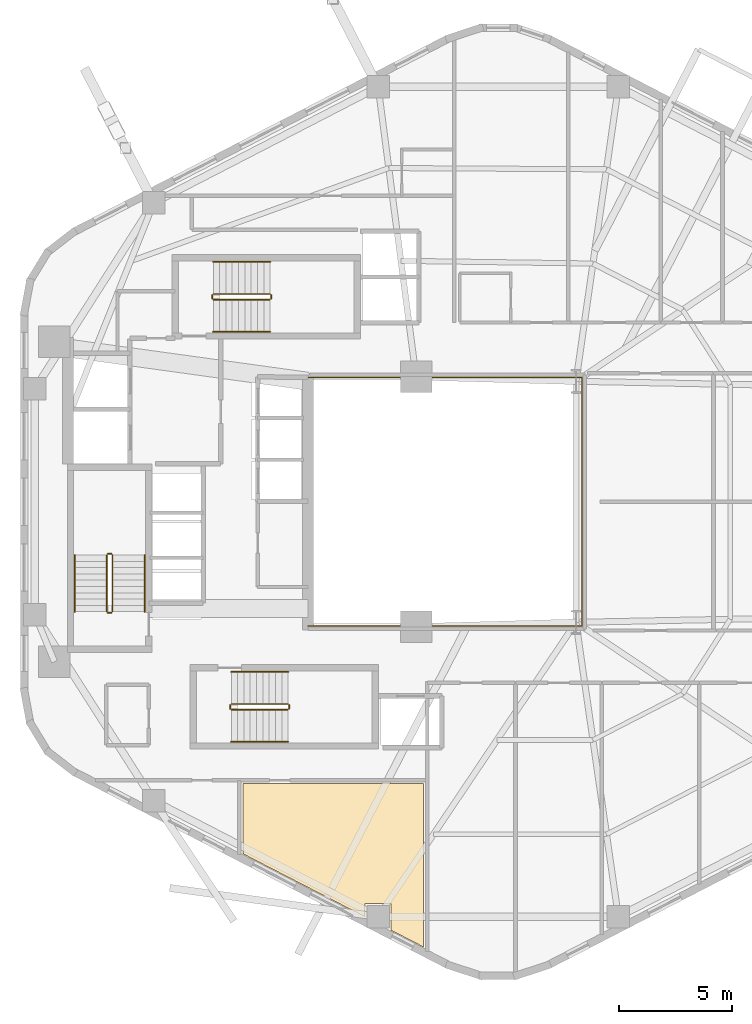
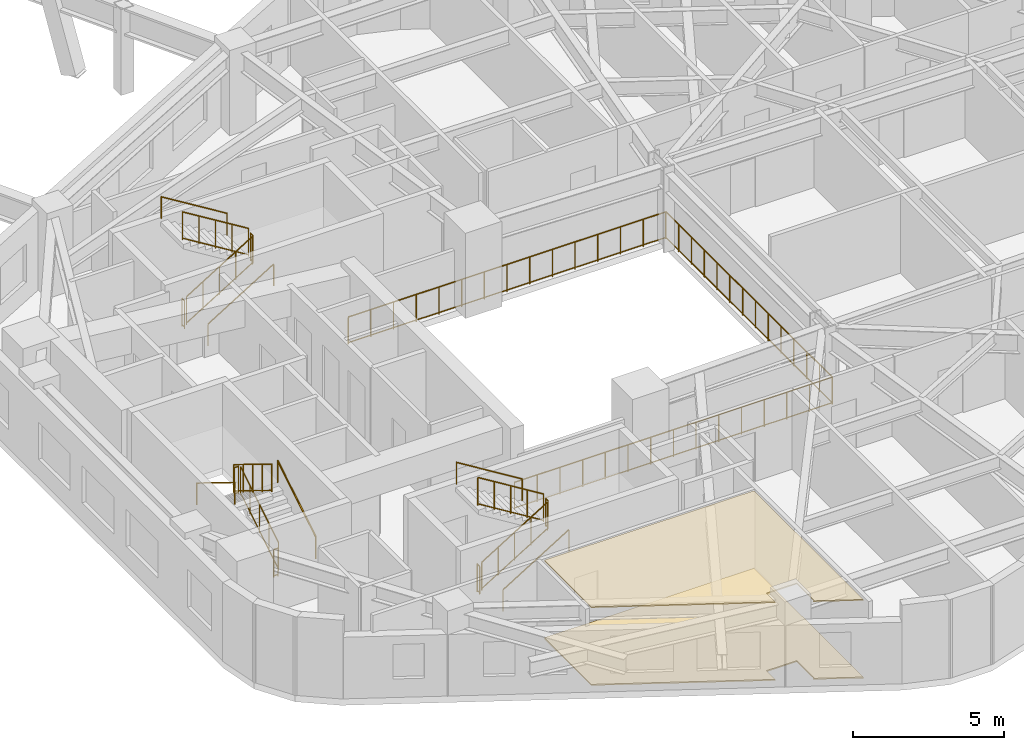
# One storey, part 8 of 8: 19 railings, 2 coverings.
"""IFC4 building model written with IfcOpenShell, lengths in metres."""

from ifc_helpers import new_model, si_unit, direction, frame, origin, origin_2d, place, context, subcontext, project, spatial, polyline, circle, outline, extrude, material, layer, layer_set, type_object, element, save


model = new_model("IFC4")

# Units and contexts
model_context = context("Model", 3, precision=1e-05, world=origin(), true_north=direction((0.0, 1.0)))
body_context = subcontext(model_context, "Body", "Model", "MODEL_VIEW")
ifc_project = project(units=[si_unit("LENGTHUNIT", "METRE"), si_unit("AREAUNIT", "SQUARE_METRE"), si_unit("VOLUMEUNIT", "CUBIC_METRE"), si_unit("PLANEANGLEUNIT", "RADIAN"), si_unit("MASSUNIT", "GRAM", prefix="KILO"), si_unit("THERMODYNAMICTEMPERATUREUNIT", "KELVIN"), si_unit("POWERUNIT", "WATT")], contexts=[model_context])

# Site, building, storey
site_placement = place(None, origin())
site = spatial("IfcSite", under=ifc_project, at=site_placement, CompositionType="ELEMENT")
building_placement = place(site_placement, origin())
building = spatial("IfcBuilding", under=site, at=building_placement, Name="Skarre Station Tower", CompositionType="ELEMENT")
storey_placement = place(building_placement, frame((0.0, 0.0, 129.14990234375)))
storey = spatial("IfcBuildingStorey", under=building, at=storey_placement, Name="L34", CompositionType="ELEMENT", Elevation=129.14990234375)

# Railing
ifc_material_1 = material(Name="Bronze Anodized Steel & Laminated Glass Balustrade", Category="steel")
railing_type_1 = type_object("IfcRailingType", Name="Atrium Void & Mezzanine Guard Balustrade 1120", PredefinedType="GUARDRAIL", material=ifc_material_1)
railing_1_placement = place(storey_placement, frame((27.550048828125, 18.47998046875, 0.0)))
element("IfcRailing", 1, at=railing_1_placement, inside=storey, type_object=railing_type_1, Name="L34 Atrium Void Guard Balustrade", PredefinedType="GUARDRAIL", context=body_context, shape_type="SweptSolid", body=[
    extrude(circle(Radius=0.02392578125, at=origin_2d()), frame((0.0, 0.0, 1.09619140625), z_axis=(1.0, 0.0, 0.0), x_axis=(0.0, 1.0, 0.0)), (0.0, 0.0, 1.0), 12.169921875),
    extrude(circle(Radius=0.02099609375, at=origin_2d()), frame((0.0, 0.0, 0.06005859375), z_axis=(1.0, 0.0, 0.0), x_axis=(0.0, 1.0, 0.0)), (0.0, 0.0, 1.0), 12.169921875),
    extrude(circle(Radius=0.02392578125, at=origin_2d()), frame((12.169921875, 0.0, 1.09619140625), z_axis=(0.0, 1.0, 0.0), x_axis=(-1.0, 0.0, 0.0)), (0.0, 0.0, 1.0), 11.0400390625),
    extrude(circle(Radius=0.02099609375, at=origin_2d()), frame((12.169921875, 0.0, 0.06005859375), z_axis=(0.0, 1.0, 0.0), x_axis=(-1.0, 0.0, 0.0)), (0.0, 0.0, 1.0), 11.0400390625),
    extrude(circle(Radius=0.02392578125, at=origin_2d()), frame((12.169921875, 11.0400390625, 1.09619140625), z_axis=(-1.0, 0.0, 0.0), x_axis=(0.0, -1.0, 0.0)), (0.0, 0.0, 1.0), 12.169921875),
    extrude(circle(Radius=0.02099609375, at=origin_2d()), frame((12.169921875, 11.0400390625, 0.06005859375), z_axis=(-1.0, 0.0, 0.0), x_axis=(0.0, -1.0, 0.0)), (0.0, 0.0, 1.0), 12.169921875),
    extrude(circle(Radius=0.02099609375, at=origin_2d()), origin(), (0.0, 0.0, 1.0), 1.072021484375),
    extrude(circle(Radius=0.02099609375, at=origin_2d()), frame((0.869384765625, 0.0, 0.0)), (0.0, 0.0, 1.0), 1.072021484375),
    extrude(circle(Radius=0.02099609375, at=origin_2d()), frame((1.738525390625, 0.0, 0.0)), (0.0, 0.0, 1.0), 1.072021484375),
    extrude(circle(Radius=0.02099609375, at=origin_2d()), frame((2.60791015625, 0.0, 0.0)), (0.0, 0.0, 1.0), 1.072021484375),
    extrude(circle(Radius=0.02099609375, at=origin_2d()), frame((3.47705078125, 0.0, 0.0)), (0.0, 0.0, 1.0), 1.072021484375),
    extrude(circle(Radius=0.02099609375, at=origin_2d()), frame((4.346435546875, 0.0, 0.0)), (0.0, 0.0, 1.0), 1.072021484375),
    extrude(circle(Radius=0.02099609375, at=origin_2d()), frame((5.215576171875, 0.0, 0.0)), (0.0, 0.0, 1.0), 1.072021484375),
    extrude(circle(Radius=0.02099609375, at=origin_2d()), frame((6.0849609375, 0.0, 0.0)), (0.0, 0.0, 1.0), 1.072021484375),
    extrude(circle(Radius=0.02099609375, at=origin_2d()), frame((6.954345703125, 0.0, 0.0)), (0.0, 0.0, 1.0), 1.072021484375),
    extrude(circle(Radius=0.02099609375, at=origin_2d()), frame((7.823486328125, 0.0, 0.0)), (0.0, 0.0, 1.0), 1.072021484375),
    extrude(circle(Radius=0.02099609375, at=origin_2d()), frame((8.69287109375, 0.0, 0.0)), (0.0, 0.0, 1.0), 1.072021484375),
    extrude(circle(Radius=0.02099609375, at=origin_2d()), frame((9.56201171875, 0.0, 0.0)), (0.0, 0.0, 1.0), 1.072021484375),
    extrude(circle(Radius=0.02099609375, at=origin_2d()), frame((10.431396484375, 0.0, 0.0)), (0.0, 0.0, 1.0), 1.072021484375),
    extrude(circle(Radius=0.02099609375, at=origin_2d()), frame((11.300537109375, 0.0, 0.0)), (0.0, 0.0, 1.0), 1.072021484375),
    extrude(circle(Radius=0.02099609375, at=origin_2d()), frame((12.169921875, 0.0, 0.0)), (0.0, 0.0, 1.0), 1.072021484375),
    extrude(circle(Radius=0.02099609375, at=origin_2d()), frame((12.169921875, 0.84912109375, 0.0)), (0.0, 0.0, 1.0), 1.072021484375),
    extrude(circle(Radius=0.02099609375, at=origin_2d()), frame((12.169921875, 1.698486328125, 0.0)), (0.0, 0.0, 1.0), 1.072021484375),
    extrude(circle(Radius=0.02099609375, at=origin_2d()), frame((12.169921875, 2.547607421875, 0.0)), (0.0, 0.0, 1.0), 1.072021484375),
    extrude(circle(Radius=0.02099609375, at=origin_2d()), frame((12.169921875, 3.39697265625, 0.0)), (0.0, 0.0, 1.0), 1.072021484375),
    extrude(circle(Radius=0.02099609375, at=origin_2d()), frame((12.169921875, 4.24609375, 0.0)), (0.0, 0.0, 1.0), 1.072021484375),
    extrude(circle(Radius=0.02099609375, at=origin_2d()), frame((12.169921875, 5.095458984375, 0.0)), (0.0, 0.0, 1.0), 1.072021484375),
    extrude(circle(Radius=0.02099609375, at=origin_2d()), frame((12.169921875, 5.944580078125, 0.0)), (0.0, 0.0, 1.0), 1.072021484375),
    extrude(circle(Radius=0.02099609375, at=origin_2d()), frame((12.169921875, 6.7939453125, 0.0)), (0.0, 0.0, 1.0), 1.072021484375),
    extrude(circle(Radius=0.02099609375, at=origin_2d()), frame((12.169921875, 7.64306640625, 0.0)), (0.0, 0.0, 1.0), 1.072021484375),
    extrude(circle(Radius=0.02099609375, at=origin_2d()), frame((12.169921875, 8.492431640625, 0.0)), (0.0, 0.0, 1.0), 1.072021484375),
    extrude(circle(Radius=0.02099609375, at=origin_2d()), frame((12.169921875, 9.341552734375, 0.0)), (0.0, 0.0, 1.0), 1.072021484375),
    extrude(circle(Radius=0.02099609375, at=origin_2d()), frame((12.169921875, 10.19091796875, 0.0)), (0.0, 0.0, 1.0), 1.072021484375),
    extrude(circle(Radius=0.02099609375, at=origin_2d()), frame((12.169921875, 11.0400390625, 0.0)), (0.0, 0.0, 1.0), 1.072021484375),
    extrude(circle(Radius=0.02099609375, at=origin_2d()), frame((11.300537109375, 11.0400390625, 0.0)), (0.0, 0.0, 1.0), 1.072021484375),
    extrude(circle(Radius=0.02099609375, at=origin_2d()), frame((10.431396484375, 11.0400390625, 0.0)), (0.0, 0.0, 1.0), 1.072021484375),
    extrude(circle(Radius=0.02099609375, at=origin_2d()), frame((9.56201171875, 11.0400390625, 0.0)), (0.0, 0.0, 1.0), 1.072021484375),
    extrude(circle(Radius=0.02099609375, at=origin_2d()), frame((8.69287109375, 11.0400390625, 0.0)), (0.0, 0.0, 1.0), 1.072021484375),
    extrude(circle(Radius=0.02099609375, at=origin_2d()), frame((7.823486328125, 11.0400390625, 0.0)), (0.0, 0.0, 1.0), 1.072021484375),
    extrude(circle(Radius=0.02099609375, at=origin_2d()), frame((6.954345703125, 11.0400390625, 0.0)), (0.0, 0.0, 1.0), 1.072021484375),
    extrude(circle(Radius=0.02099609375, at=origin_2d()), frame((6.0849609375, 11.0400390625, 0.0)), (0.0, 0.0, 1.0), 1.072021484375),
    extrude(circle(Radius=0.02099609375, at=origin_2d()), frame((5.215576171875, 11.0400390625, 0.0)), (0.0, 0.0, 1.0), 1.072021484375),
    extrude(circle(Radius=0.02099609375, at=origin_2d()), frame((4.346435546875, 11.0400390625, 0.0)), (0.0, 0.0, 1.0), 1.072021484375),
    extrude(circle(Radius=0.02099609375, at=origin_2d()), frame((3.47705078125, 11.0400390625, 0.0)), (0.0, 0.0, 1.0), 1.072021484375),
    extrude(circle(Radius=0.02099609375, at=origin_2d()), frame((2.60791015625, 11.0400390625, 0.0)), (0.0, 0.0, 1.0), 1.072021484375),
    extrude(circle(Radius=0.02099609375, at=origin_2d()), frame((1.738525390625, 11.0400390625, 0.0)), (0.0, 0.0, 1.0), 1.072021484375),
    extrude(circle(Radius=0.02099609375, at=origin_2d()), frame((0.869384765625, 11.0400390625, 0.0)), (0.0, 0.0, 1.0), 1.072021484375),
    extrude(circle(Radius=0.02099609375, at=origin_2d()), frame((0.0, 11.0400390625, 0.0)), (0.0, 0.0, 1.0), 1.072021484375),
])

# Coverings
ifc_material_2 = material(Name="Honed Jura Limestone & Calcium-Sulfate Access Tile", Category="masonry")
ifc_layer_1 = layer(ifc_material_2, 0.050048828125, Name="Honed Jura Limestone & Calcium-Sulfate Access Tile")
ifc_layer_set_1 = layer_set([ifc_layer_1], Name="Honed Jura Limestone & Calcium-Sulfate Access Tile")
covering_type_1 = type_object("IfcCoveringType", Name="Honed Limestone & Raised Access Floor Finish 50", PredefinedType="FLOORING", material=ifc_layer_set_1)
covering_1_placement = place(storey_placement, origin())
element("IfcCovering", 2, at=covering_1_placement, inside=storey, type_object=covering_type_1, Name="L34 Limestone Access Flooring 1", PredefinedType="FLOORING", context=body_context, shape_type="SweptSolid", body=[
    extrude(outline(polyline([(24.659912109375, 8.3798828125), (30.089111328125, 5.577880859375), (30.089111328125, 6.162109375), (31.2490234375, 6.162109375), (31.2490234375, 5.001953125), (31.205078125, 5.001953125), (32.68994140625, 4.235107421875), (32.68994140625, 11.5), (24.659912109375, 11.5), (24.659912109375, 8.3798828125)])), origin(), (0.0, 0.0, 1.0), 0.050048828125),
])
ifc_material_3 = material(Name="Perforated Nordic Birch Veneer & Mineral Wool", Category="wood")
ifc_layer_2 = layer(ifc_material_3, 0.044921875, Name="Perforated Nordic Birch Veneer & Mineral Wool")
ifc_layer_set_2 = layer_set([ifc_layer_2], Name="Perforated Nordic Birch Veneer & Mineral Wool")
covering_type_2 = type_object("IfcCoveringType", Name="Nordic Birch Slatted Acoustic Suspended Ceiling 45", PredefinedType="CEILING", material=ifc_layer_set_2)
covering_2_placement = place(storey_placement, frame((0.0, 0.0, 3.14501953125)))
element("IfcCovering", 3, at=covering_2_placement, inside=storey, type_object=covering_type_2, Name="L34 Acoustic Birch Ceiling 1", PredefinedType="CEILING", context=body_context, shape_type="SweptSolid", body=[
    extrude(outline(polyline([(24.659912109375, 8.3798828125), (30.089111328125, 5.577880859375), (30.089111328125, 6.162109375), (31.2490234375, 6.162109375), (31.2490234375, 5.001953125), (31.205078125, 5.001953125), (32.68994140625, 4.235107421875), (32.68994140625, 11.5), (24.659912109375, 11.5), (24.659912109375, 8.3798828125)])), origin(), (0.0, 0.0, 1.0), 0.045166015625),
])

# Railings
ifc_material_4 = material(Name="Powder-Coated Tubular Steel", Category="steel")
railing_type_2 = type_object("IfcRailingType", Name="Painted Steel Ramp & Stair Handrail 920", PredefinedType="HANDRAIL", material=ifc_material_4)
railing_2_placement = place(storey_placement, frame((20.300048828125, 19.1201171875, 0.172607421875)))
element("IfcRailing", 4, at=railing_2_placement, inside=storey, type_object=railing_type_2, Name="L34 ST-1 stair handrail 1", PredefinedType="HANDRAIL", context=body_context, shape_type="SweptSolid", body=[
    extrude(circle(Radius=0.02392578125, at=origin_2d()), frame((0.0, 0.0, 0.8759765625), z_axis=(0.0, 0.851377800117, 0.52455299205), x_axis=(-1.0, 0.0, 0.0)), (0.0, 0.0, 1.0), 2.959716796875),
    extrude(circle(Radius=0.02099609375, at=origin_2d()), origin(), (0.0, 0.0, 1.0), 0.851806640625),
    extrude(circle(Radius=0.02099609375, at=origin_2d()), frame((0.0, 2.519775390625, 1.552490234375)), (0.0, 0.0, 1.0), 0.851806640625),
])
railing_3_placement = place(storey_placement, frame((17.199951171875, 21.639892578125, 1.897705078125)))
element("IfcRailing", 5, at=railing_3_placement, inside=storey, type_object=railing_type_2, Name="L34 ST-1 stair handrail 2", PredefinedType="HANDRAIL", context=body_context, shape_type="SweptSolid", body=[
    extrude(circle(Radius=0.02392578125, at=origin_2d()), frame((0.0, 0.0, 0.8759765625), z_axis=(0.0, -0.851377800117, 0.52455299205), x_axis=(1.0, 0.0, 0.0)), (0.0, 0.0, 1.0), 2.959716796875),
    extrude(circle(Radius=0.02099609375, at=origin_2d()), origin(), (0.0, 0.0, 1.0), 0.851806640625),
    extrude(circle(Radius=0.02099609375, at=origin_2d()), frame((0.0, -2.519775390625, 1.552490234375)), (0.0, 0.0, 1.0), 0.851806640625),
])
railing_4_placement = place(storey_placement, frame((24.14990234375, 13.35009765625, 0.172607421875)))
element("IfcRailing", 6, at=railing_4_placement, inside=storey, type_object=railing_type_2, Name="L34 ST-2 stair handrail 1", PredefinedType="HANDRAIL", context=body_context, shape_type="SweptSolid", body=[
    extrude(circle(Radius=0.02392578125, at=origin_2d()), frame((0.0, 0.0, 0.8759765625), z_axis=(0.851400495292, 0.0, 0.524516154772), x_axis=(0.0, 1.0, 0.0)), (0.0, 0.0, 1.0), 2.9599609375),
    extrude(circle(Radius=0.02099609375, at=origin_2d()), origin(), (0.0, 0.0, 1.0), 0.851806640625),
    extrude(circle(Radius=0.02099609375, at=origin_2d()), frame((2.52001953125, 0.0, 1.552490234375)), (0.0, 0.0, 1.0), 0.851806640625),
])
railing_5_placement = place(storey_placement, frame((26.669921875, 16.449951171875, 1.897705078125)))
element("IfcRailing", 7, at=railing_5_placement, inside=storey, type_object=railing_type_2, Name="L34 ST-2 stair handrail 2", PredefinedType="HANDRAIL", context=body_context, shape_type="SweptSolid", body=[
    extrude(circle(Radius=0.02392578125, at=origin_2d()), frame((0.0, 0.0, 0.8759765625), z_axis=(-0.851400495292, 0.0, 0.524516154772), x_axis=(0.0, -1.0, 0.0)), (0.0, 0.0, 1.0), 2.9599609375),
    extrude(circle(Radius=0.02099609375, at=origin_2d()), origin(), (0.0, 0.0, 1.0), 0.851806640625),
    extrude(circle(Radius=0.02099609375, at=origin_2d()), frame((-2.52001953125, 0.0, 1.552490234375)), (0.0, 0.0, 1.0), 0.851806640625),
])
railing_6_placement = place(storey_placement, frame((23.35009765625, 31.550048828125, 0.172607421875)))
element("IfcRailing", 8, at=railing_6_placement, inside=storey, type_object=railing_type_2, Name="L34 ST-3 stair handrail 1", PredefinedType="HANDRAIL", context=body_context, shape_type="SweptSolid", body=[
    extrude(circle(Radius=0.02392578125, at=origin_2d()), frame((0.0, 0.0, 0.8759765625), z_axis=(0.851400495292, 0.0, 0.524516154772), x_axis=(0.0, 1.0, 0.0)), (0.0, 0.0, 1.0), 2.9599609375),
    extrude(circle(Radius=0.02099609375, at=origin_2d()), origin(), (0.0, 0.0, 1.0), 0.851806640625),
    extrude(circle(Radius=0.02099609375, at=origin_2d()), frame((2.52001953125, 0.0, 1.552490234375)), (0.0, 0.0, 1.0), 0.851806640625),
])
railing_7_placement = place(storey_placement, frame((25.8701171875, 34.64990234375, 1.897705078125)))
element("IfcRailing", 9, at=railing_7_placement, inside=storey, type_object=railing_type_2, Name="L34 ST-3 stair handrail 2", PredefinedType="HANDRAIL", context=body_context, shape_type="SweptSolid", body=[
    extrude(circle(Radius=0.02392578125, at=origin_2d()), frame((0.0, 0.0, 0.8759765625), z_axis=(-0.851400495292, 0.0, 0.524516154772), x_axis=(0.0, -1.0, 0.0)), (0.0, 0.0, 1.0), 2.9599609375),
    extrude(circle(Radius=0.02099609375, at=origin_2d()), origin(), (0.0, 0.0, 1.0), 0.851806640625),
    extrude(circle(Radius=0.02099609375, at=origin_2d()), frame((-2.52001953125, 0.0, 1.552490234375)), (0.0, 0.0, 1.0), 0.851806640625),
])
railing_type_3 = type_object("IfcRailingType", Name="Painted Steel Stairwell Guardrail 1100", PredefinedType="GUARDRAIL", material=ifc_material_4)
railing_8_placement = place(storey_placement, frame((18.8798828125, 19.1201171875, 0.172607421875)))
element("IfcRailing", 10, at=railing_8_placement, inside=storey, type_object=railing_type_3, Name="L34 ST-1 stair guard 1", PredefinedType="GUARDRAIL", context=body_context, shape_type="SweptSolid", body=[
    extrude(circle(Radius=0.02392578125, at=origin_2d()), frame((0.0, 0.0, 1.1259765625), z_axis=(0.0, 0.851377800117, 0.52455299205), x_axis=(-1.0, 0.0, 0.0)), (0.0, 0.0, 1.0), 2.959716796875),
    extrude(circle(Radius=0.02099609375, at=origin_2d()), frame((0.0, 0.0, 0.06005859375), z_axis=(0.0, 0.851377800117, 0.52455299205), x_axis=(-1.0, 0.0, 0.0)), (0.0, 0.0, 1.0), 2.959716796875),
    extrude(circle(Radius=0.02099609375, at=origin_2d()), origin(), (0.0, 0.0, 1.0), 1.101806640625),
    extrude(circle(Radius=0.02099609375, at=origin_2d()), frame((0.0, 0.6298828125, 0.38818359375)), (0.0, 0.0, 1.0), 1.101806640625),
    extrude(circle(Radius=0.02099609375, at=origin_2d()), frame((0.0, 1.259765625, 0.7763671875)), (0.0, 0.0, 1.0), 1.101806640625),
    extrude(circle(Radius=0.02099609375, at=origin_2d()), frame((0.0, 1.889892578125, 1.164306640625)), (0.0, 0.0, 1.0), 1.101806640625),
    extrude(circle(Radius=0.02099609375, at=origin_2d()), frame((0.0, 2.519775390625, 1.552490234375)), (0.0, 0.0, 1.0), 1.101806640625),
])
railing_9_placement = place(storey_placement, frame((18.830078125, 21.68994140625, 1.72509765625)))
element("IfcRailing", 11, at=railing_9_placement, inside=storey, type_object=railing_type_3, Name="L34 ST-1 stair guard 2", PredefinedType="GUARDRAIL", context=body_context, shape_type="SweptSolid", body=[
    extrude(circle(Radius=0.02392578125, at=origin_2d()), frame((0.0, 0.0, 1.1259765625), z_axis=(-1.0, 0.0, 0.0), x_axis=(0.0, -1.0, 0.0)), (0.0, 0.0, 1.0), 0.16015625),
    extrude(circle(Radius=0.02099609375, at=origin_2d()), frame((0.0, 0.0, 0.06005859375), z_axis=(-1.0, 0.0, 0.0), x_axis=(0.0, -1.0, 0.0)), (0.0, 0.0, 1.0), 0.16015625),
    extrude(circle(Radius=0.02099609375, at=origin_2d()), origin(), (0.0, 0.0, 1.0), 1.101806640625),
    extrude(circle(Radius=0.02099609375, at=origin_2d()), frame((-0.16015625, 0.0, 0.0)), (0.0, 0.0, 1.0), 1.101806640625),
])
railing_10_placement = place(storey_placement, frame((18.6201171875, 21.639892578125, 1.897705078125)))
element("IfcRailing", 12, at=railing_10_placement, inside=storey, type_object=railing_type_3, Name="L34 ST-1 stair guard 3", PredefinedType="GUARDRAIL", context=body_context, shape_type="SweptSolid", body=[
    extrude(circle(Radius=0.02392578125, at=origin_2d()), frame((0.0, 0.0, 1.1259765625), z_axis=(0.0, -0.851377800117, 0.52455299205), x_axis=(1.0, 0.0, 0.0)), (0.0, 0.0, 1.0), 2.959716796875),
    extrude(circle(Radius=0.02099609375, at=origin_2d()), frame((0.0, 0.0, 0.06005859375), z_axis=(0.0, -0.851377800117, 0.52455299205), x_axis=(1.0, 0.0, 0.0)), (0.0, 0.0, 1.0), 2.959716796875),
    extrude(circle(Radius=0.02099609375, at=origin_2d()), origin(), (0.0, 0.0, 1.0), 1.101806640625),
    extrude(circle(Radius=0.02099609375, at=origin_2d()), frame((0.0, -0.6298828125, 0.38818359375)), (0.0, 0.0, 1.0), 1.101806640625),
    extrude(circle(Radius=0.02099609375, at=origin_2d()), frame((0.0, -1.259765625, 0.7763671875)), (0.0, 0.0, 1.0), 1.101806640625),
    extrude(circle(Radius=0.02099609375, at=origin_2d()), frame((0.0, -1.889892578125, 1.164306640625)), (0.0, 0.0, 1.0), 1.101806640625),
    extrude(circle(Radius=0.02099609375, at=origin_2d()), frame((0.0, -2.519775390625, 1.552490234375)), (0.0, 0.0, 1.0), 1.101806640625),
])
railing_11_placement = place(storey_placement, frame((18.830078125, 19.070068359375, 0.0)))
element("IfcRailing", 13, at=railing_11_placement, inside=storey, type_object=railing_type_3, Name="L34 ST-1 stair guard 4", PredefinedType="GUARDRAIL", context=body_context, shape_type="SweptSolid", body=[
    extrude(circle(Radius=0.02392578125, at=origin_2d()), frame((0.0, 0.0, 1.1259765625), z_axis=(-1.0, 0.0, 0.0), x_axis=(0.0, -1.0, 0.0)), (0.0, 0.0, 1.0), 0.16015625),
    extrude(circle(Radius=0.02099609375, at=origin_2d()), frame((0.0, 0.0, 0.06005859375), z_axis=(-1.0, 0.0, 0.0), x_axis=(0.0, -1.0, 0.0)), (0.0, 0.0, 1.0), 0.16015625),
    extrude(circle(Radius=0.02099609375, at=origin_2d()), origin(), (0.0, 0.0, 1.0), 1.101806640625),
    extrude(circle(Radius=0.02099609375, at=origin_2d()), frame((-0.16015625, 0.0, 0.0)), (0.0, 0.0, 1.0), 1.101806640625),
])
railing_12_placement = place(storey_placement, frame((24.14990234375, 14.77001953125, 0.172607421875)))
element("IfcRailing", 14, at=railing_12_placement, inside=storey, type_object=railing_type_3, Name="L34 ST-2 stair guard 1", PredefinedType="GUARDRAIL", context=body_context, shape_type="SweptSolid", body=[
    extrude(circle(Radius=0.02392578125, at=origin_2d()), frame((0.0, 0.0, 1.1259765625), z_axis=(0.851400495292, 0.0, 0.524516154772), x_axis=(0.0, 1.0, 0.0)), (0.0, 0.0, 1.0), 2.9599609375),
    extrude(circle(Radius=0.02099609375, at=origin_2d()), frame((0.0, 0.0, 0.06005859375), z_axis=(0.851400495292, 0.0, 0.524516154772), x_axis=(0.0, 1.0, 0.0)), (0.0, 0.0, 1.0), 2.9599609375),
    extrude(circle(Radius=0.02099609375, at=origin_2d()), origin(), (0.0, 0.0, 1.0), 1.101806640625),
    extrude(circle(Radius=0.02099609375, at=origin_2d()), frame((0.6298828125, 0.0, 0.38818359375)), (0.0, 0.0, 1.0), 1.101806640625),
    extrude(circle(Radius=0.02099609375, at=origin_2d()), frame((1.260009765625, 0.0, 0.7763671875)), (0.0, 0.0, 1.0), 1.101806640625),
    extrude(circle(Radius=0.02099609375, at=origin_2d()), frame((1.89013671875, 0.0, 1.164306640625)), (0.0, 0.0, 1.0), 1.101806640625),
    extrude(circle(Radius=0.02099609375, at=origin_2d()), frame((2.52001953125, 0.0, 1.552490234375)), (0.0, 0.0, 1.0), 1.101806640625),
])
railing_13_placement = place(storey_placement, frame((26.719970703125, 14.820068359375, 1.72509765625)))
element("IfcRailing", 15, at=railing_13_placement, inside=storey, type_object=railing_type_3, Name="L34 ST-2 stair guard 2", PredefinedType="GUARDRAIL", context=body_context, shape_type="SweptSolid", body=[
    extrude(circle(Radius=0.02392578125, at=origin_2d()), frame((0.0, 0.0, 1.1259765625), z_axis=(0.0, 1.0, 0.0), x_axis=(-1.0, 0.0, 0.0)), (0.0, 0.0, 1.0), 0.159912109375),
    extrude(circle(Radius=0.02099609375, at=origin_2d()), frame((0.0, 0.0, 0.06005859375), z_axis=(0.0, 1.0, 0.0), x_axis=(-1.0, 0.0, 0.0)), (0.0, 0.0, 1.0), 0.159912109375),
    extrude(circle(Radius=0.02099609375, at=origin_2d()), origin(), (0.0, 0.0, 1.0), 1.101806640625),
    extrude(circle(Radius=0.02099609375, at=origin_2d()), frame((0.0, 0.159912109375, 0.0)), (0.0, 0.0, 1.0), 1.101806640625),
])
railing_14_placement = place(storey_placement, frame((26.669921875, 15.030029296875, 1.897705078125)))
element("IfcRailing", 16, at=railing_14_placement, inside=storey, type_object=railing_type_3, Name="L34 ST-2 stair guard 3", PredefinedType="GUARDRAIL", context=body_context, shape_type="SweptSolid", body=[
    extrude(circle(Radius=0.02392578125, at=origin_2d()), frame((0.0, 0.0, 1.1259765625), z_axis=(-0.851400495292, 0.0, 0.524516154772), x_axis=(0.0, -1.0, 0.0)), (0.0, 0.0, 1.0), 2.9599609375),
    extrude(circle(Radius=0.02099609375, at=origin_2d()), frame((0.0, 0.0, 0.06005859375), z_axis=(-0.851400495292, 0.0, 0.524516154772), x_axis=(0.0, -1.0, 0.0)), (0.0, 0.0, 1.0), 2.9599609375),
    extrude(circle(Radius=0.02099609375, at=origin_2d()), origin(), (0.0, 0.0, 1.0), 1.101806640625),
    extrude(circle(Radius=0.02099609375, at=origin_2d()), frame((-0.6298828125, 0.0, 0.38818359375)), (0.0, 0.0, 1.0), 1.101806640625),
    extrude(circle(Radius=0.02099609375, at=origin_2d()), frame((-1.260009765625, 0.0, 0.7763671875)), (0.0, 0.0, 1.0), 1.101806640625),
    extrude(circle(Radius=0.02099609375, at=origin_2d()), frame((-1.89013671875, 0.0, 1.164306640625)), (0.0, 0.0, 1.0), 1.101806640625),
    extrude(circle(Radius=0.02099609375, at=origin_2d()), frame((-2.52001953125, 0.0, 1.552490234375)), (0.0, 0.0, 1.0), 1.101806640625),
])
railing_15_placement = place(storey_placement, frame((24.10009765625, 14.820068359375, 0.0)))
element("IfcRailing", 17, at=railing_15_placement, inside=storey, type_object=railing_type_3, Name="L34 ST-2 stair guard 4", PredefinedType="GUARDRAIL", context=body_context, shape_type="SweptSolid", body=[
    extrude(circle(Radius=0.02392578125, at=origin_2d()), frame((0.0, 0.0, 1.1259765625), z_axis=(0.0, 1.0, 0.0), x_axis=(-1.0, 0.0, 0.0)), (0.0, 0.0, 1.0), 0.159912109375),
    extrude(circle(Radius=0.02099609375, at=origin_2d()), frame((0.0, 0.0, 0.06005859375), z_axis=(0.0, 1.0, 0.0), x_axis=(-1.0, 0.0, 0.0)), (0.0, 0.0, 1.0), 0.159912109375),
    extrude(circle(Radius=0.02099609375, at=origin_2d()), origin(), (0.0, 0.0, 1.0), 1.101806640625),
    extrude(circle(Radius=0.02099609375, at=origin_2d()), frame((0.0, 0.159912109375, 0.0)), (0.0, 0.0, 1.0), 1.101806640625),
])
railing_16_placement = place(storey_placement, frame((23.35009765625, 32.969970703125, 0.172607421875)))
element("IfcRailing", 18, at=railing_16_placement, inside=storey, type_object=railing_type_3, Name="L34 ST-3 stair guard 1", PredefinedType="GUARDRAIL", context=body_context, shape_type="SweptSolid", body=[
    extrude(circle(Radius=0.02392578125, at=origin_2d()), frame((0.0, 0.0, 1.1259765625), z_axis=(0.851400495292, 0.0, 0.524516154772), x_axis=(0.0, 1.0, 0.0)), (0.0, 0.0, 1.0), 2.9599609375),
    extrude(circle(Radius=0.02099609375, at=origin_2d()), frame((0.0, 0.0, 0.06005859375), z_axis=(0.851400495292, 0.0, 0.524516154772), x_axis=(0.0, 1.0, 0.0)), (0.0, 0.0, 1.0), 2.9599609375),
    extrude(circle(Radius=0.02099609375, at=origin_2d()), origin(), (0.0, 0.0, 1.0), 1.101806640625),
    extrude(circle(Radius=0.02099609375, at=origin_2d()), frame((0.6298828125, 0.0, 0.38818359375)), (0.0, 0.0, 1.0), 1.101806640625),
    extrude(circle(Radius=0.02099609375, at=origin_2d()), frame((1.260009765625, 0.0, 0.7763671875)), (0.0, 0.0, 1.0), 1.101806640625),
    extrude(circle(Radius=0.02099609375, at=origin_2d()), frame((1.89013671875, 0.0, 1.164306640625)), (0.0, 0.0, 1.0), 1.101806640625),
    extrude(circle(Radius=0.02099609375, at=origin_2d()), frame((2.52001953125, 0.0, 1.552490234375)), (0.0, 0.0, 1.0), 1.101806640625),
])
railing_17_placement = place(storey_placement, frame((25.919921875, 33.02001953125, 1.72509765625)))
element("IfcRailing", 19, at=railing_17_placement, inside=storey, type_object=railing_type_3, Name="L34 ST-3 stair guard 2", PredefinedType="GUARDRAIL", context=body_context, shape_type="SweptSolid", body=[
    extrude(circle(Radius=0.02392578125, at=origin_2d()), frame((0.0, 0.0, 1.1259765625), z_axis=(0.0, 1.0, 0.0), x_axis=(-1.0, 0.0, 0.0)), (0.0, 0.0, 1.0), 0.159912109375),
    extrude(circle(Radius=0.02099609375, at=origin_2d()), frame((0.0, 0.0, 0.06005859375), z_axis=(0.0, 1.0, 0.0), x_axis=(-1.0, 0.0, 0.0)), (0.0, 0.0, 1.0), 0.159912109375),
    extrude(circle(Radius=0.02099609375, at=origin_2d()), origin(), (0.0, 0.0, 1.0), 1.101806640625),
    extrude(circle(Radius=0.02099609375, at=origin_2d()), frame((0.0, 0.159912109375, 0.0)), (0.0, 0.0, 1.0), 1.101806640625),
])
railing_18_placement = place(storey_placement, frame((25.8701171875, 33.22998046875, 1.897705078125)))
element("IfcRailing", 20, at=railing_18_placement, inside=storey, type_object=railing_type_3, Name="L34 ST-3 stair guard 3", PredefinedType="GUARDRAIL", context=body_context, shape_type="SweptSolid", body=[
    extrude(circle(Radius=0.02392578125, at=origin_2d()), frame((0.0, 0.0, 1.1259765625), z_axis=(-0.851400495292, 0.0, 0.524516154772), x_axis=(0.0, -1.0, 0.0)), (0.0, 0.0, 1.0), 2.9599609375),
    extrude(circle(Radius=0.02099609375, at=origin_2d()), frame((0.0, 0.0, 0.06005859375), z_axis=(-0.851400495292, 0.0, 0.524516154772), x_axis=(0.0, -1.0, 0.0)), (0.0, 0.0, 1.0), 2.9599609375),
    extrude(circle(Radius=0.02099609375, at=origin_2d()), origin(), (0.0, 0.0, 1.0), 1.101806640625),
    extrude(circle(Radius=0.02099609375, at=origin_2d()), frame((-0.6298828125, 0.0, 0.38818359375)), (0.0, 0.0, 1.0), 1.101806640625),
    extrude(circle(Radius=0.02099609375, at=origin_2d()), frame((-1.260009765625, 0.0, 0.7763671875)), (0.0, 0.0, 1.0), 1.101806640625),
    extrude(circle(Radius=0.02099609375, at=origin_2d()), frame((-1.89013671875, 0.0, 1.164306640625)), (0.0, 0.0, 1.0), 1.101806640625),
    extrude(circle(Radius=0.02099609375, at=origin_2d()), frame((-2.52001953125, 0.0, 1.552490234375)), (0.0, 0.0, 1.0), 1.101806640625),
])
railing_19_placement = place(storey_placement, frame((23.300048828125, 33.02001953125, 0.0)))
element("IfcRailing", 21, at=railing_19_placement, inside=storey, type_object=railing_type_3, Name="L34 ST-3 stair guard 4", PredefinedType="GUARDRAIL", context=body_context, shape_type="SweptSolid", body=[
    extrude(circle(Radius=0.02392578125, at=origin_2d()), frame((0.0, 0.0, 1.1259765625), z_axis=(0.0, 1.0, 0.0), x_axis=(-1.0, 0.0, 0.0)), (0.0, 0.0, 1.0), 0.159912109375),
    extrude(circle(Radius=0.02099609375, at=origin_2d()), frame((0.0, 0.0, 0.06005859375), z_axis=(0.0, 1.0, 0.0), x_axis=(-1.0, 0.0, 0.0)), (0.0, 0.0, 1.0), 0.159912109375),
    extrude(circle(Radius=0.02099609375, at=origin_2d()), origin(), (0.0, 0.0, 1.0), 1.101806640625),
    extrude(circle(Radius=0.02099609375, at=origin_2d()), frame((0.0, 0.159912109375, 0.0)), (0.0, 0.0, 1.0), 1.101806640625),
])

save(model, "model.ifc")
